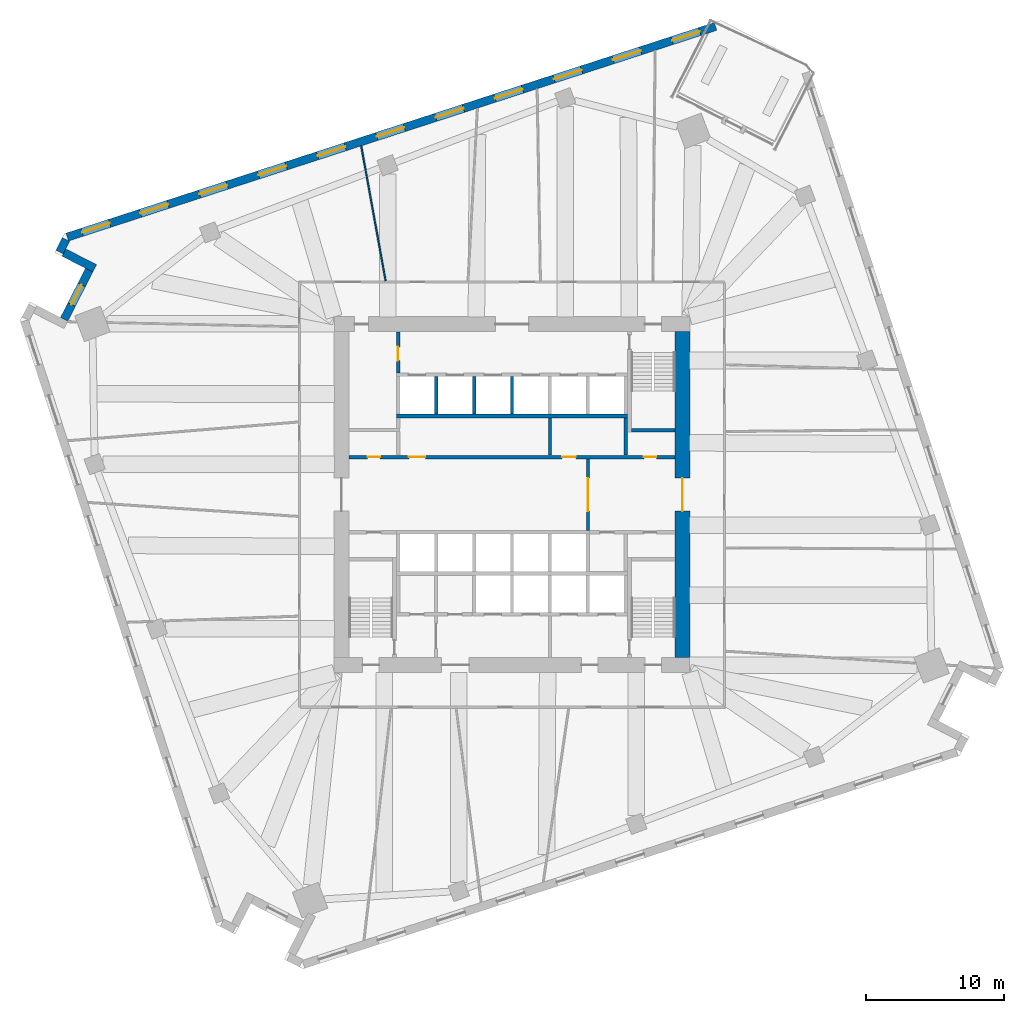
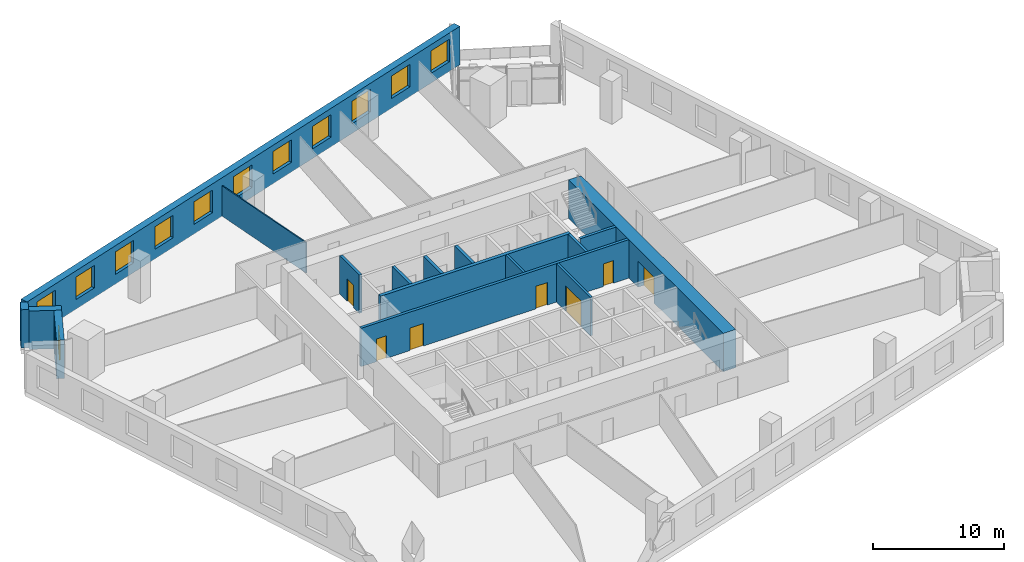
# One storey, part 8 of 12: 16 walls, 12 windows, 7 doors, 19 openings.
"""IFC4 building model written with IfcOpenShell, lengths in metres."""

from ifc_helpers import new_model, si_unit, direction, frame, frame_2d, origin, place, context, subcontext, project, spatial, rectangle, extrude, material, layer, layer_set, type_object, element, fill, save


model = new_model("IFC4")

# Units and contexts
model_context = context("Model", 3, precision=1e-05, world=origin(), true_north=direction((0.0, 1.0)))
body_context = subcontext(model_context, "Body", "Model", "MODEL_VIEW")
ifc_project = project(units=[si_unit("LENGTHUNIT", "METRE"), si_unit("AREAUNIT", "SQUARE_METRE"), si_unit("VOLUMEUNIT", "CUBIC_METRE"), si_unit("PLANEANGLEUNIT", "RADIAN"), si_unit("MASSUNIT", "GRAM", prefix="KILO")], contexts=[model_context])

# Site, building, storey
site_placement = place(None, origin())
site = spatial("IfcSite", under=ifc_project, at=site_placement, CompositionType="ELEMENT")
building_placement = place(site_placement, origin())
building = spatial("IfcBuilding", under=site, at=building_placement, Name="Dilmun Exchange Tower", CompositionType="ELEMENT")
storey_placement = place(building_placement, frame((0.0, 0.0, 94.10009765625)))
storey = spatial("IfcBuildingStorey", under=building, at=storey_placement, Name="L21", CompositionType="ELEMENT", Elevation=94.10009765625)

# Wall, opening, door
ifc_material_1 = material(Name="Concrete C40/50", Category="concrete")
ifc_layer_1 = layer(ifc_material_1, 0.199951171875)
ifc_layer_set_1 = layer_set([ifc_layer_1], Name="Concrete C40/50")
wall_type_1 = type_object("IfcWallType", Name="Core partition wall 200", PredefinedType="PARTITIONING", material=ifc_layer_set_1)
wall_1_placement = place(storey_placement, frame((5.5, -2.594970703125, 0.0), z_axis=(0.0, 0.0, 1.0), x_axis=(0.0, 1.0, 0.0)))
wall_1 = element("IfcWall", 1, at=wall_1_placement, inside=storey, type_object=wall_type_1, Name="L21 core partition wall 09", PredefinedType="PARTITIONING", context=body_context, shape_type="SweptSolid", body=[
    extrude(rectangle(XDim=5.18994140625, YDim=0.199951171875, at=frame_2d((2.594970703125, 0.0))), origin(), (0.0, 0.0, 1.0), 3.579833984375),
])
opening_1_placement = place(wall_1_placement, frame((1.39501953125, 0.0, 0.0)))
opening_1 = element("IfcOpeningElement", 2, at=opening_1_placement, cuts=wall_1, Name="Opening CD1", PredefinedType="OPENING", context=body_context, shape_type="SweptSolid", body=[
    extrude(rectangle(XDim=2.39990234375, YDim=2.39990234375, at=frame_2d((1.199951171875, 1.199951171875))), frame((0.0, 0.10986328125, 0.0), z_axis=(0.0, -1.0, 0.0), x_axis=(1.0, 0.0, 0.0)), (0.0, 0.0, 1.0), 0.219970703125),
])
ifc_material_2 = material(Name="Fire-rated steel door set", Category="steel")
door_type_1 = type_object("IfcDoorType", Name="Core lobby door 2400x2400", OperationType="DOUBLE_DOOR_DOUBLE_SWING", PredefinedType="DOOR", material=ifc_material_2)
door_1_placement = place(opening_1_placement, origin())
door_1 = element("IfcDoor", 3, at=door_1_placement, inside=storey, type_object=door_type_1, Name="L21 door Lift lobby east", OperationType="DOUBLE_DOOR_DOUBLE_SWING", OverallHeight=2.39990234375, OverallWidth=2.39990234375, PredefinedType="DOOR", context=body_context, shape_type="SweptSolid", body=[
    extrude(rectangle(XDim=2.39990234375, YDim=2.39990234375, at=frame_2d((1.199951171875, 1.199951171875))), frame((0.0, 0.02490234375, 0.0), z_axis=(0.0, -1.0, 0.0), x_axis=(1.0, 0.0, 0.0)), (0.0, 0.0, 1.0), 0.050048828125),
])
fill(opening_1, door_1)

# Wall
wall_2_placement = place(storey_placement, frame((2.75, 2.85498046875, 0.0), z_axis=(0.0, 0.0, 1.0), x_axis=(0.0, 1.0, 0.0)))
element("IfcWall", 4, at=wall_2_placement, inside=storey, type_object=wall_type_1, Name="L21 core partition wall 12", PredefinedType="PARTITIONING", context=body_context, shape_type="SweptSolid", body=[
    extrude(rectangle(XDim=2.68994140625, YDim=0.199951171875, at=frame_2d((1.344970703125, 0.0))), origin(), (0.0, 0.0, 1.0), 3.579833984375),
])

# Wall, openings, doors
ifc_layer_2 = layer(ifc_material_1, 0.25)
ifc_layer_set_2 = layer_set([ifc_layer_2], Name="Concrete C40/50")
wall_type_2 = type_object("IfcWallType", Name="Core partition wall 250", PredefinedType="PARTITIONING", material=ifc_layer_set_2)
wall_3_placement = place(storey_placement, frame((-11.794921875, 2.72509765625, 0.0), z_axis=(0.0, 0.0, 1.0), x_axis=(1.0, 0.0, 0.0)))
wall_3 = element("IfcWall", 5, at=wall_3_placement, inside=storey, type_object=wall_type_2, Name="L21 core partition wall 10", PredefinedType="PARTITIONING", context=body_context, shape_type="SweptSolid", body=[
    extrude(rectangle(XDim=23.58984375, YDim=0.25, at=frame_2d((11.794921875, 0.0))), origin(), (0.0, 0.0, 1.0), 3.579833984375),
])
opening_2_placement = place(wall_3_placement, frame((21.344970703125, 0.0, 0.0)))
opening_2 = element("IfcOpeningElement", 6, at=opening_2_placement, cuts=wall_3, Name="Opening CD6", PredefinedType="OPENING", context=body_context, shape_type="SweptSolid", body=[
    extrude(rectangle(XDim=0.89990234375, YDim=2.10009765625, at=frame_2d((0.449951171875, 1.050048828125))), frame((0.0, 0.135009765625, 0.0), z_axis=(0.0, -1.0, 0.0), x_axis=(1.0, 0.0, 0.0)), (0.0, 0.0, 1.0), 0.27001953125),
])
opening_3_placement = place(wall_3_placement, frame((1.344970703125, 0.0, 0.0)))
opening_3 = element("IfcOpeningElement", 7, at=opening_3_placement, cuts=wall_3, Name="Opening CD6", PredefinedType="OPENING", context=body_context, shape_type="SweptSolid", body=[
    extrude(rectangle(XDim=0.89990234375, YDim=2.10009765625, at=frame_2d((0.449951171875, 1.050048828125))), frame((0.0, 0.135009765625, 0.0), z_axis=(0.0, -1.0, 0.0), x_axis=(1.0, 0.0, 0.0)), (0.0, 0.0, 1.0), 0.27001953125),
])
opening_4_placement = place(wall_3_placement, frame((4.320068359375, 0.0, 0.0)))
opening_4 = element("IfcOpeningElement", 8, at=opening_4_placement, cuts=wall_3, Name="Opening CD3", PredefinedType="OPENING", context=body_context, shape_type="SweptSolid", body=[
    extrude(rectangle(XDim=1.199951171875, YDim=2.10009765625, at=frame_2d((0.60009765625, 1.050048828125))), frame((0.0, 0.135009765625, 0.0), z_axis=(0.0, -1.0, 0.0), x_axis=(1.0, 0.0, 0.0)), (0.0, 0.0, 1.0), 0.27001953125),
])
opening_5_placement = place(wall_3_placement, frame((15.419921875, 0.0, 0.0)))
opening_5 = element("IfcOpeningElement", 9, at=opening_5_placement, cuts=wall_3, Name="Opening CD4", PredefinedType="OPENING", context=body_context, shape_type="SweptSolid", body=[
    extrude(rectangle(XDim=1.0, YDim=2.10009765625, at=frame_2d((0.5, 1.050048828125))), frame((0.0, 0.135009765625, 0.0), z_axis=(0.0, -1.0, 0.0), x_axis=(1.0, 0.0, 0.0)), (0.0, 0.0, 1.0), 0.27001953125),
])
door_type_2 = type_object("IfcDoorType", Name="Core room door 1000x2100", OperationType="SINGLE_SWING_LEFT", PredefinedType="DOOR", material=ifc_material_2)
door_2_placement = place(opening_5_placement, origin())
door_2 = element("IfcDoor", 10, at=door_2_placement, inside=storey, type_object=door_type_2, Name="L21 door Print and mail room", OperationType="SINGLE_SWING_RIGHT", OverallHeight=2.10009765625, OverallWidth=1.0, PredefinedType="DOOR", context=body_context, shape_type="SweptSolid", body=[
    extrude(rectangle(XDim=1.0, YDim=2.10009765625, at=frame_2d((0.5, 1.050048828125))), frame((0.0, 0.02490234375, 0.0), z_axis=(0.0, -1.0, 0.0), x_axis=(1.0, 0.0, 0.0)), (0.0, 0.0, 1.0), 0.050048828125),
])
fill(opening_5, door_2)
door_type_3 = type_object("IfcDoorType", Name="Core room door 900x2100", OperationType="SINGLE_SWING_LEFT", PredefinedType="DOOR", material=ifc_material_2)
door_3_placement = place(opening_2_placement, origin())
door_3 = element("IfcDoor", 11, at=door_3_placement, inside=storey, type_object=door_type_3, Name="L21 door Electrical riser", OperationType="SINGLE_SWING_RIGHT", OverallHeight=2.10009765625, OverallWidth=0.89990234375, PredefinedType="DOOR", context=body_context, shape_type="SweptSolid", body=[
    extrude(rectangle(XDim=0.89990234375, YDim=2.10009765625, at=frame_2d((0.449951171875, 1.050048828125))), frame((0.0, 0.02490234375, 0.0), z_axis=(0.0, -1.0, 0.0), x_axis=(1.0, 0.0, 0.0)), (0.0, 0.0, 1.0), 0.050048828125),
])
fill(opening_2, door_3)
door_4_placement = place(opening_3_placement, origin())
door_4 = element("IfcDoor", 12, at=door_4_placement, inside=storey, type_object=door_type_3, Name="L21 door Plumbing riser", OperationType="SINGLE_SWING_RIGHT", OverallHeight=2.10009765625, OverallWidth=0.89990234375, PredefinedType="DOOR", context=body_context, shape_type="SweptSolid", body=[
    extrude(rectangle(XDim=0.89990234375, YDim=2.10009765625, at=frame_2d((0.449951171875, 1.050048828125))), frame((0.0, 0.02490234375, 0.0), z_axis=(0.0, -1.0, 0.0), x_axis=(1.0, 0.0, 0.0)), (0.0, 0.0, 1.0), 0.050048828125),
])
fill(opening_3, door_4)
door_type_4 = type_object("IfcDoorType", Name="Stair exit door 1200x2100", OperationType="SINGLE_SWING_LEFT", PredefinedType="DOOR", material=ifc_material_2)
door_5_placement = place(opening_4_placement, origin())
door_5 = element("IfcDoor", 13, at=door_5_placement, inside=storey, type_object=door_type_4, Name="L21 door Facilities workshop", OperationType="SINGLE_SWING_LEFT", OverallHeight=2.10009765625, OverallWidth=1.199951171875, PredefinedType="DOOR", context=body_context, shape_type="SweptSolid", body=[
    extrude(rectangle(XDim=1.199951171875, YDim=2.10009765625, at=frame_2d((0.60009765625, 1.050048828125))), frame((0.0, 0.02490234375, 0.0), z_axis=(0.0, -1.0, 0.0), x_axis=(1.0, 0.0, 0.0)), (0.0, 0.0, 1.0), 0.050048828125),
])
fill(opening_4, door_5)

# Wall
wall_4_placement = place(storey_placement, frame((8.25, 2.85498046875, 0.0), z_axis=(0.0, 0.0, 1.0), x_axis=(0.0, 1.0, 0.0)))
element("IfcWall", 14, at=wall_4_placement, inside=storey, type_object=wall_type_2, Name="L21 core partition wall 13", PredefinedType="PARTITIONING", context=body_context, shape_type="SweptSolid", body=[
    extrude(rectangle(XDim=2.68994140625, YDim=0.25, at=frame_2d((1.344970703125, 0.0))), origin(), (0.0, 0.0, 1.0), 3.579833984375),
])

# Wall, opening, door
wall_5_placement = place(storey_placement, frame((-8.25, 8.804931640625, 0.0), z_axis=(0.0, 0.0, 1.0), x_axis=(0.0, 1.0, 0.0)))
wall_5 = element("IfcWall", 15, at=wall_5_placement, inside=storey, type_object=wall_type_2, Name="L21 core partition wall 16", PredefinedType="PARTITIONING", context=body_context, shape_type="SweptSolid", body=[
    extrude(rectangle(XDim=2.989990234375, YDim=0.25, at=frame_2d((1.4951171875, 0.0))), origin(), (0.0, 0.0, 1.0), 3.579833984375),
])
opening_6_placement = place(wall_5_placement, frame((0.89501953125, 0.0, 0.0)))
opening_6 = element("IfcOpeningElement", 16, at=opening_6_placement, cuts=wall_5, Name="Opening CD4", PredefinedType="OPENING", context=body_context, shape_type="SweptSolid", body=[
    extrude(rectangle(XDim=1.0, YDim=2.10009765625, at=frame_2d((0.5, 1.050048828125))), frame((0.0, 0.135009765625, 0.0), z_axis=(0.0, -1.0, 0.0), x_axis=(1.0, 0.0, 0.0)), (0.0, 0.0, 1.0), 0.27001953125),
])
door_6_placement = place(opening_6_placement, origin())
door_6 = element("IfcDoor", 17, at=door_6_placement, inside=storey, type_object=door_type_2, Name="L21 door Facilities office", OperationType="SINGLE_SWING_RIGHT", OverallHeight=2.10009765625, OverallWidth=1.0, PredefinedType="DOOR", context=body_context, shape_type="SweptSolid", body=[
    extrude(rectangle(XDim=1.0, YDim=2.10009765625, at=frame_2d((0.5, 1.050048828125))), frame((0.0, 0.02490234375, 0.0), z_axis=(0.0, -1.0, 0.0), x_axis=(1.0, 0.0, 0.0)), (0.0, 0.0, 1.0), 0.050048828125),
])
fill(opening_6, door_6)

ifc_material_3 = material(Name="Concrete C80/95", Category="concrete")
ifc_layer_3 = layer(ifc_material_3, 1.10009765625)
ifc_layer_set_3 = layer_set([ifc_layer_3], Name="Concrete C80/95")
wall_type_3 = type_object("IfcWallType", Name="Core shear wall 1100 Concrete C80/95", PredefinedType="SHEAR", material=ifc_layer_set_3)
wall_6_placement = place(storey_placement, frame((12.35009765625, -11.800048828125, 0.0), z_axis=(0.0, 0.0, 1.0), x_axis=(0.0, 1.0, 0.0)))
wall_6 = element("IfcWall", 18, at=wall_6_placement, inside=storey, type_object=wall_type_3, Name="L21 core shear wall E", PredefinedType="SHEAR", context=body_context, shape_type="SweptSolid", body=[
    extrude(rectangle(XDim=23.60009765625, YDim=1.10009765625, at=frame_2d((11.800048828125, 0.0))), origin(), (0.0, 0.0, 1.0), 3.579833984375),
])
opening_7_placement = place(wall_6_placement, frame((10.60009765625, 0.0, 0.0)))
opening_7 = element("IfcOpeningElement", 19, at=opening_7_placement, cuts=wall_6, Name="Opening CD1", PredefinedType="OPENING", context=body_context, shape_type="SweptSolid", body=[
    extrude(rectangle(XDim=2.39990234375, YDim=2.39990234375, at=frame_2d((1.199951171875, 1.199951171875))), frame((0.0, 0.56005859375, 0.0), z_axis=(0.0, -1.0, 0.0), x_axis=(1.0, 0.0, 0.0)), (0.0, 0.0, 1.0), 1.1201171875),
])
door_7_placement = place(opening_7_placement, origin())
door_7 = element("IfcDoor", 20, at=door_7_placement, inside=storey, type_object=door_type_1, Name="L21 door Central lift lobby", OperationType="SINGLE_SWING_LEFT", OverallHeight=2.39990234375, OverallWidth=2.39990234375, PredefinedType="DOOR", context=body_context, shape_type="SweptSolid", body=[
    extrude(rectangle(XDim=2.39990234375, YDim=2.39990234375, at=frame_2d((1.199951171875, 1.199951171875))), frame((0.0, 0.02490234375, 0.0), z_axis=(0.0, -1.0, 0.0), x_axis=(1.0, 0.0, 0.0)), (0.0, 0.0, 1.0), 0.050048828125),
])
fill(opening_7, door_7)

# Walls
ifc_layer_4 = layer(ifc_material_1, 0.300048828125)
ifc_layer_set_4 = layer_set([ifc_layer_4], Name="Concrete C40/50")
wall_type_4 = type_object("IfcWallType", Name="Lift shaft shared wall 300", PredefinedType="SOLIDWALL", material=ifc_layer_set_4)
wall_7_placement = place(storey_placement, frame((-8.375, 5.699951171875, 0.0), z_axis=(0.0, 0.0, 1.0), x_axis=(1.0, 0.0, 0.0)))
element("IfcWall", 21, at=wall_7_placement, inside=storey, type_object=wall_type_4, Name="L21 lift shaft rear wall N", PredefinedType="SOLIDWALL", context=body_context, shape_type="SweptSolid", body=[
    extrude(rectangle(XDim=16.75, YDim=0.300048828125, at=frame_2d((8.375, 0.0))), origin(), (0.0, 0.0, 1.0), 3.579833984375),
])
ifc_layer_5 = layer(ifc_material_1, 0.25)
ifc_layer_set_5 = layer_set([ifc_layer_5], Name="Concrete C40/50")
wall_type_5 = type_object("IfcWallType", Name="Lift shaft wall 250", PredefinedType="SOLIDWALL", material=ifc_layer_set_5)
for number, where, z_axis, x_axis, name in (
    (22, (-5.5, 5.85009765625, 0.0), (0.0, 0.0, 1.0), (0.0, 1.0, 0.0), "L21 lift shaft divider N21"),
    (23, (-2.75, 5.85009765625, 0.0), (0.0, 0.0, 1.0), (0.0, 1.0, 0.0), "L21 lift shaft divider N22"),
    (24, (0.0, 5.85009765625, 0.0), (0.0, 0.0, 1.0), (0.0, 1.0, 0.0), "L21 lift shaft divider N23"),
):
    element("IfcWall", number, at=place(storey_placement, frame(where, z_axis=z_axis, x_axis=x_axis)), inside=storey, type_object=wall_type_5, Name=name, PredefinedType="SOLIDWALL", context=body_context, shape_type="SweptSolid", body=[
        extrude(rectangle(XDim=2.699951171875, YDim=0.25, at=frame_2d((1.35009765625, 0.0))), origin(), (0.0, 0.0, 1.0), 3.579833984375),
    ])
ifc_material_4 = material(Name="Partition 100")
ifc_layer_6 = layer(ifc_material_4, 0.10009765625)
ifc_layer_set_6 = layer_set([ifc_layer_6], Name="Partition 100")
wall_type_6 = type_object("IfcWallType", Name="Partition 100", PredefinedType="PARTITIONING", material=ifc_layer_set_6)
wall_8_placement = place(storey_placement, frame((-10.923583984375, 25.258544921875, 0.0), z_axis=(0.0, 0.0, 1.0), x_axis=(0.178208444623, -0.983992759254, 0.0)))
element("IfcWall", 25, at=wall_8_placement, inside=storey, type_object=wall_type_6, Name="Partition", PredefinedType="PARTITIONING", context=body_context, shape_type="SweptSolid", body=[
    extrude(rectangle(XDim=9.93359375, YDim=0.10009765625, at=frame_2d((4.966796875, 0.0))), origin(), (0.0, 0.0, 1.0), 2.829833984375),
])

# Wall, openings, windows
ifc_material_5 = material(Name="Precast concrete C50/60", Category="concrete")
ifc_layer_7 = layer(ifc_material_5, 0.60009765625)
ifc_layer_set_7 = layer_set([ifc_layer_7], Name="Precast concrete C50/60")
wall_type_7 = type_object("IfcWallType", Name="Precast stone-clad wall 600", PredefinedType="STANDARD", material=ifc_layer_set_7)
wall_9_placement = place(storey_placement, frame((14.7412109375, 33.915283203125, 0.0), z_axis=(0.0, 0.0, 1.0), x_axis=(-0.951056049788, -0.309018430131, 0.0)))
wall_9 = element("IfcWall", 26, at=wall_9_placement, inside=storey, type_object=wall_type_7, Name="Facade wall L21-03", PredefinedType="STANDARD", context=body_context, shape_type="SweptSolid", body=[
    extrude(rectangle(XDim=49.3759765625, YDim=0.60009765625, at=frame_2d((24.68798828125, 0.0))), origin(), (0.0, 0.0, 1.0), 3.579833984375),
])
opening_8_placement = place(wall_9_placement, frame((1.199951171875, 0.0, 0.89990234375)))
opening_8 = element("IfcOpeningElement", 27, at=opening_8_placement, cuts=wall_9, Name="Opening W210-210", PredefinedType="OPENING", context=body_context, shape_type="SweptSolid", body=[
    extrude(rectangle(XDim=2.10009765625, YDim=2.10009765625, at=frame_2d((1.050048828125, 1.050048828125))), frame((0.0, 0.31005859375, 0.0), z_axis=(0.0, -1.0, 0.0), x_axis=(1.0, 0.0, 0.0)), (0.0, 0.0, 1.0), 0.6201171875),
])
opening_9_placement = place(wall_9_placement, frame((5.699951171875, 0.0, 0.89990234375)))
opening_9 = element("IfcOpeningElement", 28, at=opening_9_placement, cuts=wall_9, Name="Opening W210-210", PredefinedType="OPENING", context=body_context, shape_type="SweptSolid", body=[
    extrude(rectangle(XDim=2.10009765625, YDim=2.10009765625, at=frame_2d((1.050048828125, 1.050048828125))), frame((0.0, 0.31005859375, 0.0), z_axis=(0.0, -1.0, 0.0), x_axis=(1.0, 0.0, 0.0)), (0.0, 0.0, 1.0), 0.6201171875),
])
opening_10_placement = place(wall_9_placement, frame((10.199951171875, 0.0, 0.89990234375)))
opening_10 = element("IfcOpeningElement", 29, at=opening_10_placement, cuts=wall_9, Name="Opening W210-210", PredefinedType="OPENING", context=body_context, shape_type="SweptSolid", body=[
    extrude(rectangle(XDim=2.10009765625, YDim=2.10009765625, at=frame_2d((1.050048828125, 1.050048828125))), frame((0.0, 0.31005859375, 0.0), z_axis=(0.0, -1.0, 0.0), x_axis=(1.0, 0.0, 0.0)), (0.0, 0.0, 1.0), 0.6201171875),
])
opening_11_placement = place(wall_9_placement, frame((14.699951171875, 0.0, 0.89990234375)))
opening_11 = element("IfcOpeningElement", 30, at=opening_11_placement, cuts=wall_9, Name="Opening W210-210", PredefinedType="OPENING", context=body_context, shape_type="SweptSolid", body=[
    extrude(rectangle(XDim=2.10009765625, YDim=2.10009765625, at=frame_2d((1.050048828125, 1.050048828125))), frame((0.0, 0.31005859375, 0.0), z_axis=(0.0, -1.0, 0.0), x_axis=(1.0, 0.0, 0.0)), (0.0, 0.0, 1.0), 0.6201171875),
])
opening_12_placement = place(wall_9_placement, frame((19.199951171875, 0.0, 0.89990234375)))
opening_12 = element("IfcOpeningElement", 31, at=opening_12_placement, cuts=wall_9, Name="Opening W210-210", PredefinedType="OPENING", context=body_context, shape_type="SweptSolid", body=[
    extrude(rectangle(XDim=2.10009765625, YDim=2.10009765625, at=frame_2d((1.050048828125, 1.050048828125))), frame((0.0, 0.31005859375, 0.0), z_axis=(0.0, -1.0, 0.0), x_axis=(1.0, 0.0, 0.0)), (0.0, 0.0, 1.0), 0.6201171875),
])
opening_13_placement = place(wall_9_placement, frame((23.699951171875, 0.0, 0.89990234375)))
opening_13 = element("IfcOpeningElement", 32, at=opening_13_placement, cuts=wall_9, Name="Opening W210-210", PredefinedType="OPENING", context=body_context, shape_type="SweptSolid", body=[
    extrude(rectangle(XDim=2.10009765625, YDim=2.10009765625, at=frame_2d((1.050048828125, 1.050048828125))), frame((0.0, 0.31005859375, 0.0), z_axis=(0.0, -1.0, 0.0), x_axis=(1.0, 0.0, 0.0)), (0.0, 0.0, 1.0), 0.6201171875),
])
opening_14_placement = place(wall_9_placement, frame((28.199951171875, 0.0, 0.89990234375)))
opening_14 = element("IfcOpeningElement", 33, at=opening_14_placement, cuts=wall_9, Name="Opening W210-210", PredefinedType="OPENING", context=body_context, shape_type="SweptSolid", body=[
    extrude(rectangle(XDim=2.10009765625, YDim=2.10009765625, at=frame_2d((1.050048828125, 1.050048828125))), frame((0.0, 0.31005859375, 0.0), z_axis=(0.0, -1.0, 0.0), x_axis=(1.0, 0.0, 0.0)), (0.0, 0.0, 1.0), 0.6201171875),
])
opening_15_placement = place(wall_9_placement, frame((32.699951171875, 0.0, 0.89990234375)))
opening_15 = element("IfcOpeningElement", 34, at=opening_15_placement, cuts=wall_9, Name="Opening W210-210", PredefinedType="OPENING", context=body_context, shape_type="SweptSolid", body=[
    extrude(rectangle(XDim=2.10009765625, YDim=2.10009765625, at=frame_2d((1.050048828125, 1.050048828125))), frame((0.0, 0.31005859375, 0.0), z_axis=(0.0, -1.0, 0.0), x_axis=(1.0, 0.0, 0.0)), (0.0, 0.0, 1.0), 0.6201171875),
])
opening_16_placement = place(wall_9_placement, frame((37.199951171875, 0.0, 0.89990234375)))
opening_16 = element("IfcOpeningElement", 35, at=opening_16_placement, cuts=wall_9, Name="Opening W210-210", PredefinedType="OPENING", context=body_context, shape_type="SweptSolid", body=[
    extrude(rectangle(XDim=2.10009765625, YDim=2.10009765625, at=frame_2d((1.050048828125, 1.050048828125))), frame((0.0, 0.31005859375, 0.0), z_axis=(0.0, -1.0, 0.0), x_axis=(1.0, 0.0, 0.0)), (0.0, 0.0, 1.0), 0.6201171875),
])
opening_17_placement = place(wall_9_placement, frame((41.699951171875, 0.0, 0.89990234375)))
opening_17 = element("IfcOpeningElement", 36, at=opening_17_placement, cuts=wall_9, Name="Opening W210-210", PredefinedType="OPENING", context=body_context, shape_type="SweptSolid", body=[
    extrude(rectangle(XDim=2.10009765625, YDim=2.10009765625, at=frame_2d((1.050048828125, 1.050048828125))), frame((0.0, 0.31005859375, 0.0), z_axis=(0.0, -1.0, 0.0), x_axis=(1.0, 0.0, 0.0)), (0.0, 0.0, 1.0), 0.6201171875),
])
opening_18_placement = place(wall_9_placement, frame((46.137939453125, 0.0, 0.89990234375)))
opening_18 = element("IfcOpeningElement", 37, at=opening_18_placement, cuts=wall_9, Name="Opening W210-210", PredefinedType="OPENING", context=body_context, shape_type="SweptSolid", body=[
    extrude(rectangle(XDim=2.10009765625, YDim=2.10009765625, at=frame_2d((1.050048828125, 1.050048828125))), frame((0.0, 0.31005859375, 0.0), z_axis=(0.0, -1.0, 0.0), x_axis=(1.0, 0.0, 0.0)), (0.0, 0.0, 1.0), 0.6201171875),
])
ifc_material_6 = material(Name="Clear low-emissivity glass in aluminium frame", Category="aluminium")
window_type_1 = type_object("IfcWindowType", Name="Punched window 2100 x 2100", PartitioningType="DOUBLE_PANEL_VERTICAL", PredefinedType="WINDOW", material=ifc_material_6)
window_1_placement = place(opening_8_placement, origin())
window_1 = element("IfcWindow", 38, at=window_1_placement, inside=storey, type_object=window_type_1, Name="Window 4.1", OverallHeight=2.10009765625, OverallWidth=2.10009765625, PartitioningType="SINGLE_PANEL", PredefinedType="WINDOW", context=body_context, shape_type="SweptSolid", body=[
    extrude(rectangle(XDim=2.10009765625, YDim=2.10009765625, at=frame_2d((1.050048828125, 1.050048828125))), frame((0.0, 0.030029296875, 0.0), z_axis=(0.0, -1.0, 0.0), x_axis=(1.0, 0.0, 0.0)), (0.0, 0.0, 1.0), 0.06005859375),
])
fill(opening_8, window_1)
window_2_placement = place(opening_9_placement, origin())
window_2 = element("IfcWindow", 39, at=window_2_placement, inside=storey, type_object=window_type_1, Name="Window 4.2", OverallHeight=2.10009765625, OverallWidth=2.10009765625, PartitioningType="SINGLE_PANEL", PredefinedType="WINDOW", context=body_context, shape_type="SweptSolid", body=[
    extrude(rectangle(XDim=2.10009765625, YDim=2.10009765625, at=frame_2d((1.050048828125, 1.050048828125))), frame((0.0, 0.030029296875, 0.0), z_axis=(0.0, -1.0, 0.0), x_axis=(1.0, 0.0, 0.0)), (0.0, 0.0, 1.0), 0.06005859375),
])
fill(opening_9, window_2)
window_3_placement = place(opening_10_placement, origin())
window_3 = element("IfcWindow", 40, at=window_3_placement, inside=storey, type_object=window_type_1, Name="Window 4.3", OverallHeight=2.10009765625, OverallWidth=2.10009765625, PartitioningType="SINGLE_PANEL", PredefinedType="WINDOW", context=body_context, shape_type="SweptSolid", body=[
    extrude(rectangle(XDim=2.10009765625, YDim=2.10009765625, at=frame_2d((1.050048828125, 1.050048828125))), frame((0.0, 0.030029296875, 0.0), z_axis=(0.0, -1.0, 0.0), x_axis=(1.0, 0.0, 0.0)), (0.0, 0.0, 1.0), 0.06005859375),
])
fill(opening_10, window_3)
window_4_placement = place(opening_11_placement, origin())
window_4 = element("IfcWindow", 41, at=window_4_placement, inside=storey, type_object=window_type_1, Name="Window 4.4", OverallHeight=2.10009765625, OverallWidth=2.10009765625, PartitioningType="SINGLE_PANEL", PredefinedType="WINDOW", context=body_context, shape_type="SweptSolid", body=[
    extrude(rectangle(XDim=2.10009765625, YDim=2.10009765625, at=frame_2d((1.050048828125, 1.050048828125))), frame((0.0, 0.030029296875, 0.0), z_axis=(0.0, -1.0, 0.0), x_axis=(1.0, 0.0, 0.0)), (0.0, 0.0, 1.0), 0.06005859375),
])
fill(opening_11, window_4)
window_5_placement = place(opening_12_placement, origin())
window_5 = element("IfcWindow", 42, at=window_5_placement, inside=storey, type_object=window_type_1, Name="Window 4.5", OverallHeight=2.10009765625, OverallWidth=2.10009765625, PartitioningType="SINGLE_PANEL", PredefinedType="WINDOW", context=body_context, shape_type="SweptSolid", body=[
    extrude(rectangle(XDim=2.10009765625, YDim=2.10009765625, at=frame_2d((1.050048828125, 1.050048828125))), frame((0.0, 0.030029296875, 0.0), z_axis=(0.0, -1.0, 0.0), x_axis=(1.0, 0.0, 0.0)), (0.0, 0.0, 1.0), 0.06005859375),
])
fill(opening_12, window_5)
window_6_placement = place(opening_13_placement, origin())
window_6 = element("IfcWindow", 43, at=window_6_placement, inside=storey, type_object=window_type_1, Name="Window 4.6", OverallHeight=2.10009765625, OverallWidth=2.10009765625, PartitioningType="SINGLE_PANEL", PredefinedType="WINDOW", context=body_context, shape_type="SweptSolid", body=[
    extrude(rectangle(XDim=2.10009765625, YDim=2.10009765625, at=frame_2d((1.050048828125, 1.050048828125))), frame((0.0, 0.030029296875, 0.0), z_axis=(0.0, -1.0, 0.0), x_axis=(1.0, 0.0, 0.0)), (0.0, 0.0, 1.0), 0.06005859375),
])
fill(opening_13, window_6)
window_7_placement = place(opening_14_placement, origin())
window_7 = element("IfcWindow", 44, at=window_7_placement, inside=storey, type_object=window_type_1, Name="Window 4.7", OverallHeight=2.10009765625, OverallWidth=2.10009765625, PartitioningType="SINGLE_PANEL", PredefinedType="WINDOW", context=body_context, shape_type="SweptSolid", body=[
    extrude(rectangle(XDim=2.10009765625, YDim=2.10009765625, at=frame_2d((1.050048828125, 1.050048828125))), frame((0.0, 0.030029296875, 0.0), z_axis=(0.0, -1.0, 0.0), x_axis=(1.0, 0.0, 0.0)), (0.0, 0.0, 1.0), 0.06005859375),
])
fill(opening_14, window_7)
window_8_placement = place(opening_15_placement, origin())
window_8 = element("IfcWindow", 45, at=window_8_placement, inside=storey, type_object=window_type_1, Name="Window 4.8", OverallHeight=2.10009765625, OverallWidth=2.10009765625, PartitioningType="SINGLE_PANEL", PredefinedType="WINDOW", context=body_context, shape_type="SweptSolid", body=[
    extrude(rectangle(XDim=2.10009765625, YDim=2.10009765625, at=frame_2d((1.050048828125, 1.050048828125))), frame((0.0, 0.030029296875, 0.0), z_axis=(0.0, -1.0, 0.0), x_axis=(1.0, 0.0, 0.0)), (0.0, 0.0, 1.0), 0.06005859375),
])
fill(opening_15, window_8)
window_9_placement = place(opening_16_placement, origin())
window_9 = element("IfcWindow", 46, at=window_9_placement, inside=storey, type_object=window_type_1, Name="Window 4.9", OverallHeight=2.10009765625, OverallWidth=2.10009765625, PartitioningType="SINGLE_PANEL", PredefinedType="WINDOW", context=body_context, shape_type="SweptSolid", body=[
    extrude(rectangle(XDim=2.10009765625, YDim=2.10009765625, at=frame_2d((1.050048828125, 1.050048828125))), frame((0.0, 0.030029296875, 0.0), z_axis=(0.0, -1.0, 0.0), x_axis=(1.0, 0.0, 0.0)), (0.0, 0.0, 1.0), 0.06005859375),
])
fill(opening_16, window_9)
window_10_placement = place(opening_17_placement, origin())
window_10 = element("IfcWindow", 47, at=window_10_placement, inside=storey, type_object=window_type_1, Name="Window 4.10", OverallHeight=2.10009765625, OverallWidth=2.10009765625, PartitioningType="SINGLE_PANEL", PredefinedType="WINDOW", context=body_context, shape_type="SweptSolid", body=[
    extrude(rectangle(XDim=2.10009765625, YDim=2.10009765625, at=frame_2d((1.050048828125, 1.050048828125))), frame((0.0, 0.030029296875, 0.0), z_axis=(0.0, -1.0, 0.0), x_axis=(1.0, 0.0, 0.0)), (0.0, 0.0, 1.0), 0.06005859375),
])
fill(opening_17, window_10)
window_11_placement = place(opening_18_placement, origin())
window_11 = element("IfcWindow", 48, at=window_11_placement, inside=storey, type_object=window_type_1, Name="Window 4.11", OverallHeight=2.10009765625, OverallWidth=2.10009765625, PartitioningType="SINGLE_PANEL", PredefinedType="WINDOW", context=body_context, shape_type="SweptSolid", body=[
    extrude(rectangle(XDim=2.10009765625, YDim=2.10009765625, at=frame_2d((1.050048828125, 1.050048828125))), frame((0.0, 0.030029296875, 0.0), z_axis=(0.0, -1.0, 0.0), x_axis=(1.0, 0.0, 0.0)), (0.0, 0.0, 1.0), 0.06005859375),
])
fill(opening_18, window_11)

# Walls
wall_10_placement = place(storey_placement, frame((-32.308837890625, 18.47900390625, 0.0), z_axis=(0.0, 0.0, 1.0), x_axis=(-0.453864300157, -0.89107081483, 0.0)))
element("IfcWall", 49, at=wall_10_placement, inside=storey, type_object=wall_type_7, Name="Facade wall L21-04", PredefinedType="STANDARD", context=body_context, shape_type="SweptSolid", body=[
    extrude(rectangle(XDim=1.01123046875, YDim=0.60009765625, at=frame_2d((0.505615234375, 0.0))), origin(), (0.0, 0.0, 1.0), 3.579833984375),
])
wall_11_placement = place(storey_placement, frame((-32.455078125, 17.531005859375, 0.0), z_axis=(0.0, 0.0, 1.0), x_axis=(0.890982846276, -0.454036967263, 0.0)))
element("IfcWall", 50, at=wall_11_placement, inside=storey, type_object=wall_type_7, Name="Facade wall L21-05", PredefinedType="STANDARD", context=body_context, shape_type="SweptSolid", body=[
    extrude(rectangle(XDim=2.499755859375, YDim=0.60009765625, at=frame_2d((1.25, 0.0))), origin(), (0.0, 0.0, 1.0), 3.579833984375),
])

# Wall, opening, window
wall_12_placement = place(storey_placement, frame((-30.631103515625, 16.264892578125, 0.0), z_axis=(0.0, 0.0, 1.0), x_axis=(-0.454011719911, -0.890995711653, 0.0)))
wall_12 = element("IfcWall", 51, at=wall_12_placement, inside=storey, type_object=wall_type_7, Name="Facade wall L21-06", PredefinedType="STANDARD", context=body_context, shape_type="SweptSolid", body=[
    extrude(rectangle(XDim=4.000244140625, YDim=0.60009765625, at=frame_2d((2.0, 0.0))), origin(), (0.0, 0.0, 1.0), 3.579833984375),
])
opening_19_placement = place(wall_12_placement, frame((1.199951171875, 0.0, 0.89990234375)))
opening_19 = element("IfcOpeningElement", 52, at=opening_19_placement, cuts=wall_12, Name="Opening W160-210", PredefinedType="OPENING", context=body_context, shape_type="SweptSolid", body=[
    extrude(rectangle(XDim=1.60009765625, YDim=2.10009765625, at=frame_2d((0.800048828125, 1.050048828125))), frame((0.0, 0.31005859375, 0.0), z_axis=(0.0, -1.0, 0.0), x_axis=(1.0, 0.0, 0.0)), (0.0, 0.0, 1.0), 0.6201171875),
])
window_type_2 = type_object("IfcWindowType", Name="Punched window 1600 x 2100", PartitioningType="DOUBLE_PANEL_VERTICAL", PredefinedType="WINDOW", material=ifc_material_6)
window_12_placement = place(opening_19_placement, origin())
window_12 = element("IfcWindow", 53, at=window_12_placement, inside=storey, type_object=window_type_2, Name="Window 7.1", OverallHeight=2.10009765625, OverallWidth=1.60009765625, PartitioningType="SINGLE_PANEL", PredefinedType="WINDOW", context=body_context, shape_type="SweptSolid", body=[
    extrude(rectangle(XDim=1.60009765625, YDim=2.10009765625, at=frame_2d((0.800048828125, 1.050048828125))), frame((0.0, 0.030029296875, 0.0), z_axis=(0.0, -1.0, 0.0), x_axis=(1.0, 0.0, 0.0)), (0.0, 0.0, 1.0), 0.06005859375),
])
fill(opening_19, window_12)

# Wall
ifc_layer_8 = layer(ifc_material_1, 0.25)
ifc_layer_set_8 = layer_set([ifc_layer_8], Name="Concrete C40/50")
wall_type_8 = type_object("IfcWallType", Name="Stair end wall 250", PredefinedType="SOLIDWALL", material=ifc_layer_set_8)
wall_13_placement = place(storey_placement, frame((8.64990234375, 4.675048828125, 0.0), z_axis=(0.0, 0.0, 1.0), x_axis=(1.0, 0.0, 0.0)))
element("IfcWall", 54, at=wall_13_placement, inside=storey, type_object=wall_type_8, Name="L21 ST1 far wall", PredefinedType="SOLIDWALL", context=body_context, shape_type="SweptSolid", body=[
    extrude(rectangle(XDim=3.150146484375, YDim=0.25, at=frame_2d((1.5751953125, 0.0))), origin(), (0.0, 0.0, 1.0), 3.579833984375),
])

save(model, "model.ifc")
